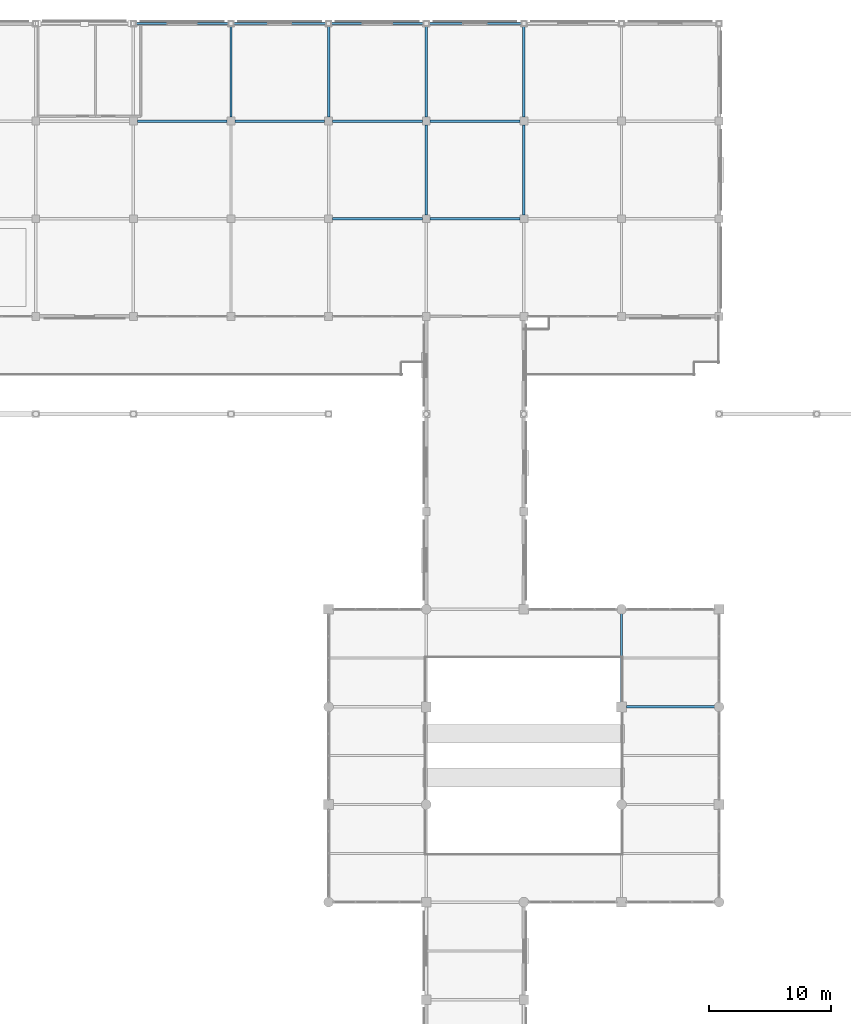
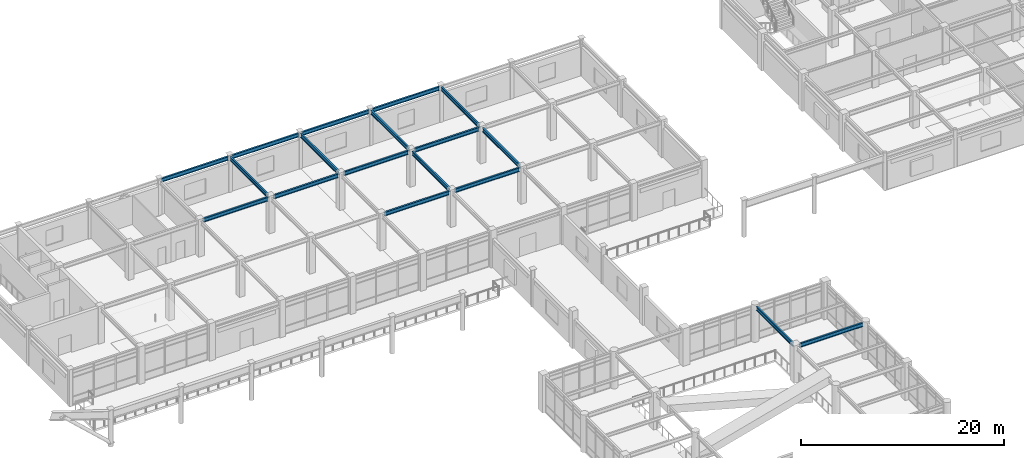
# One storey, part 48 of 78: 18 beams.
"""IFC4 building model written with IfcOpenShell, lengths in metres."""

from ifc_helpers import new_model, si_unit, direction, frame, origin, origin_2d, place, context, subcontext, project, spatial, i_section, extrude, material, material_profile, profile_set, type_object, element, save


model = new_model("IFC4")

# Units and contexts
model_context = context("Model", 3, precision=1e-05, world=origin(), true_north=direction((0.0, 1.0)))
body_context = subcontext(model_context, "Body", "Model", "MODEL_VIEW")
ifc_project = project(units=[si_unit("LENGTHUNIT", "METRE"), si_unit("AREAUNIT", "SQUARE_METRE"), si_unit("VOLUMEUNIT", "CUBIC_METRE"), si_unit("PLANEANGLEUNIT", "RADIAN"), si_unit("MASSUNIT", "GRAM", prefix="KILO")], contexts=[model_context])

# Site, building, storey
site_placement = place(None, origin())
site = spatial("IfcSite", under=ifc_project, at=site_placement, CompositionType="ELEMENT")
building_placement = place(site_placement, origin())
building = spatial("IfcBuilding", under=site, at=building_placement, Name="Solmirada Galleria", CompositionType="ELEMENT")
storey_placement = place(building_placement, frame((0.0, 0.0, 23.89990234375)))
storey = spatial("IfcBuildingStorey", under=building, at=storey_placement, Name="L05", CompositionType="ELEMENT", Elevation=23.89990234375)

# Beams
ifc_material = material(Name="Steel S355 / ASTM A992 Grade 50", Category="steel")
ifc_material_profile_1 = material_profile(ifc_material, i_section(OverallWidth=0.194091796875, OverallDepth=0.468994140625, WebThickness=0.0126953125, FlangeThickness=0.0205078125, FilletRadius=0.013916015625, at=origin_2d()), Name="W18X71")
ifc_profile_set_1 = profile_set([ifc_material_profile_1], Name="Steel S355 / ASTM A992 Grade 50")
beam_type_1 = type_object("IfcBeamType", Name="BM-GIRD-W18B", PredefinedType="BEAM", material=ifc_profile_set_1)
beam_1_placement = place(storey_placement, frame((104.39990234375, 64.0, 4.065673828125), z_axis=(1.0, 0.0, 0.0), x_axis=(0.0, 1.0, 0.0)))
element("IfcBeam", 1, at=beam_1_placement, inside=storey, type_object=beam_type_1, Name="Primary beam L06 X(104..112, 64)", PredefinedType="BEAM", context=body_context, shape_type="SweptSolid", body=[
    extrude(i_section(OverallWidth=0.194091796875, OverallDepth=0.468994140625, WebThickness=0.0126953125, FlangeThickness=0.0205078125, FilletRadius=0.013916015625, at=origin_2d()), origin(), (0.0, 0.0, 1.0), 7.26416015625),
])
ifc_material_profile_2 = material_profile(ifc_material, i_section(OverallWidth=0.193115234375, OverallDepth=0.466064453125, WebThickness=0.011474609375, FlangeThickness=0.01904296875, FilletRadius=0.013916015625, at=origin_2d()), Name="W18X65")
ifc_profile_set_2 = profile_set([ifc_material_profile_2], Name="Steel S355 / ASTM A992 Grade 50")
beam_type_2 = type_object("IfcBeamType", Name="BM-GIRD-W18C", PredefinedType="BEAM", material=ifc_profile_set_2)
beam_2_placement = place(storey_placement, frame((104.0, 64.39990234375, 4.067138671875), z_axis=(0.0, 1.0, 0.0), x_axis=(-1.0, 0.0, 0.0)))
element("IfcBeam", 2, at=beam_2_placement, inside=storey, type_object=beam_type_2, Name="Primary girder L06 Y(104, 64..72)", PredefinedType="BEAM", context=body_context, shape_type="SweptSolid", body=[
    extrude(i_section(OverallWidth=0.193115234375, OverallDepth=0.466064453125, WebThickness=0.011474609375, FlangeThickness=0.01904296875, FilletRadius=0.013916015625, at=origin_2d()), origin(), (0.0, 0.0, 1.0), 7.26416015625),
])
beam_3_placement = place(storey_placement, frame((64.324951171875, 112.0, 4.0400390625), z_axis=(1.0, 0.0, 0.0), x_axis=(0.0, 1.0, 0.0)))
element("IfcBeam", 3, at=beam_3_placement, inside=storey, type_object=beam_type_2, Name="North roof girder X=64..72", PredefinedType="BEAM", context=body_context, shape_type="SweptSolid", body=[
    extrude(i_section(OverallWidth=0.193115234375, OverallDepth=0.466064453125, WebThickness=0.011474609375, FlangeThickness=0.01904296875, FilletRadius=0.013916015625, at=origin_2d()), origin(), (0.0, 0.0, 1.0), 7.35009765625),
])
beam_4_placement = place(storey_placement, frame((64.202880859375, 120.0, 4.0400390625), z_axis=(1.0, 0.0, 0.0), x_axis=(0.0, 1.0, 0.0)))
element("IfcBeam", 4, at=beam_4_placement, inside=storey, type_object=beam_type_2, Name="North roof girder X=64..72", PredefinedType="BEAM", context=body_context, shape_type="SweptSolid", body=[
    extrude(i_section(OverallWidth=0.193115234375, OverallDepth=0.466064453125, WebThickness=0.011474609375, FlangeThickness=0.01904296875, FilletRadius=0.013916015625, at=origin_2d()), origin(), (0.0, 0.0, 1.0), 7.59423828125),
])
beam_5_placement = place(storey_placement, frame((72.324951171875, 112.0, 4.0400390625), z_axis=(1.0, 0.0, 0.0), x_axis=(0.0, 1.0, 0.0)))
element("IfcBeam", 5, at=beam_5_placement, inside=storey, type_object=beam_type_2, Name="North roof girder X=72..80", PredefinedType="BEAM", context=body_context, shape_type="SweptSolid", body=[
    extrude(i_section(OverallWidth=0.193115234375, OverallDepth=0.466064453125, WebThickness=0.011474609375, FlangeThickness=0.01904296875, FilletRadius=0.013916015625, at=origin_2d()), origin(), (0.0, 0.0, 1.0), 7.35009765625),
])
beam_6_placement = place(storey_placement, frame((72.202880859375, 120.0, 4.0400390625), z_axis=(1.0, 0.0, 0.0), x_axis=(0.0, 1.0, 0.0)))
element("IfcBeam", 6, at=beam_6_placement, inside=storey, type_object=beam_type_2, Name="North roof girder X=72..80", PredefinedType="BEAM", context=body_context, shape_type="SweptSolid", body=[
    extrude(i_section(OverallWidth=0.193115234375, OverallDepth=0.466064453125, WebThickness=0.011474609375, FlangeThickness=0.01904296875, FilletRadius=0.013916015625, at=origin_2d()), origin(), (0.0, 0.0, 1.0), 7.59423828125),
])
for number, where, z_axis, x_axis, name in (
    (7, (80.324951171875, 104.0, 4.0400390625), (1.0, 0.0, 0.0), (0.0, 1.0, 0.0), "North roof girder X=80..88"),
    (8, (80.324951171875, 112.0, 4.0400390625), (1.0, 0.0, 0.0), (0.0, 1.0, 0.0), "North roof girder X=80..88"),
):
    element("IfcBeam", number, at=place(storey_placement, frame(where, z_axis=z_axis, x_axis=x_axis)), inside=storey, type_object=beam_type_2, Name=name, PredefinedType="BEAM", context=body_context, shape_type="SweptSolid", body=[
        extrude(i_section(OverallWidth=0.193115234375, OverallDepth=0.466064453125, WebThickness=0.011474609375, FlangeThickness=0.01904296875, FilletRadius=0.013916015625, at=origin_2d()), origin(), (0.0, 0.0, 1.0), 7.35009765625),
    ])
beam_7_placement = place(storey_placement, frame((80.202880859375, 120.0, 4.0400390625), z_axis=(1.0, 0.0, 0.0), x_axis=(0.0, 1.0, 0.0)))
element("IfcBeam", 9, at=beam_7_placement, inside=storey, type_object=beam_type_2, Name="North roof girder X=80..88", PredefinedType="BEAM", context=body_context, shape_type="SweptSolid", body=[
    extrude(i_section(OverallWidth=0.193115234375, OverallDepth=0.466064453125, WebThickness=0.011474609375, FlangeThickness=0.01904296875, FilletRadius=0.013916015625, at=origin_2d()), origin(), (0.0, 0.0, 1.0), 7.59423828125),
])
for number, where, z_axis, x_axis, name in (
    (10, (88.324951171875, 104.0, 4.0400390625), (1.0, 0.0, 0.0), (0.0, 1.0, 0.0), "North roof girder X=88..96"),
    (11, (88.324951171875, 112.0, 4.0400390625), (1.0, 0.0, 0.0), (0.0, 1.0, 0.0), "North roof girder X=88..96"),
):
    element("IfcBeam", number, at=place(storey_placement, frame(where, z_axis=z_axis, x_axis=x_axis)), inside=storey, type_object=beam_type_2, Name=name, PredefinedType="BEAM", context=body_context, shape_type="SweptSolid", body=[
        extrude(i_section(OverallWidth=0.193115234375, OverallDepth=0.466064453125, WebThickness=0.011474609375, FlangeThickness=0.01904296875, FilletRadius=0.013916015625, at=origin_2d()), origin(), (0.0, 0.0, 1.0), 7.35009765625),
    ])
beam_8_placement = place(storey_placement, frame((88.202880859375, 120.0, 4.0400390625), z_axis=(1.0, 0.0, 0.0), x_axis=(0.0, 1.0, 0.0)))
element("IfcBeam", 12, at=beam_8_placement, inside=storey, type_object=beam_type_2, Name="North roof girder X=88..96", PredefinedType="BEAM", context=body_context, shape_type="SweptSolid", body=[
    extrude(i_section(OverallWidth=0.193115234375, OverallDepth=0.466064453125, WebThickness=0.011474609375, FlangeThickness=0.01904296875, FilletRadius=0.013916015625, at=origin_2d()), origin(), (0.0, 0.0, 1.0), 7.59423828125),
])
for number, where, z_axis, x_axis, name in (
    (13, (72.0, 112.324951171875, 4.0400390625), (0.0, 1.0, 0.0), (-1.0, 0.0, 0.0), "North roof girder Y=112..120"),
    (14, (80.0, 112.324951171875, 4.0400390625), (0.0, 1.0, 0.0), (-1.0, 0.0, 0.0), "North roof girder Y=112..120"),
):
    element("IfcBeam", number, at=place(storey_placement, frame(where, z_axis=z_axis, x_axis=x_axis)), inside=storey, type_object=beam_type_2, Name=name, PredefinedType="BEAM", context=body_context, shape_type="SweptSolid", body=[
        extrude(i_section(OverallWidth=0.193115234375, OverallDepth=0.466064453125, WebThickness=0.011474609375, FlangeThickness=0.01904296875, FilletRadius=0.013916015625, at=origin_2d()), origin(), (0.0, 0.0, 1.0), 7.47216796875),
    ])
beam_9_placement = place(storey_placement, frame((88.0, 104.324951171875, 4.0400390625), z_axis=(0.0, 1.0, 0.0), x_axis=(-1.0, 0.0, 0.0)))
element("IfcBeam", 15, at=beam_9_placement, inside=storey, type_object=beam_type_2, Name="North roof girder Y=104..112", PredefinedType="BEAM", context=body_context, shape_type="SweptSolid", body=[
    extrude(i_section(OverallWidth=0.193115234375, OverallDepth=0.466064453125, WebThickness=0.011474609375, FlangeThickness=0.01904296875, FilletRadius=0.013916015625, at=origin_2d()), origin(), (0.0, 0.0, 1.0), 7.35009765625),
])
beam_10_placement = place(storey_placement, frame((88.0, 112.324951171875, 4.0400390625), z_axis=(0.0, 1.0, 0.0), x_axis=(-1.0, 0.0, 0.0)))
element("IfcBeam", 16, at=beam_10_placement, inside=storey, type_object=beam_type_2, Name="North roof girder Y=112..120", PredefinedType="BEAM", context=body_context, shape_type="SweptSolid", body=[
    extrude(i_section(OverallWidth=0.193115234375, OverallDepth=0.466064453125, WebThickness=0.011474609375, FlangeThickness=0.01904296875, FilletRadius=0.013916015625, at=origin_2d()), origin(), (0.0, 0.0, 1.0), 7.47216796875),
])
beam_11_placement = place(storey_placement, frame((96.0, 104.324951171875, 4.0400390625), z_axis=(0.0, 1.0, 0.0), x_axis=(-1.0, 0.0, 0.0)))
element("IfcBeam", 17, at=beam_11_placement, inside=storey, type_object=beam_type_2, Name="North roof girder Y=104..112", PredefinedType="BEAM", context=body_context, shape_type="SweptSolid", body=[
    extrude(i_section(OverallWidth=0.193115234375, OverallDepth=0.466064453125, WebThickness=0.011474609375, FlangeThickness=0.01904296875, FilletRadius=0.013916015625, at=origin_2d()), origin(), (0.0, 0.0, 1.0), 7.35009765625),
])
beam_12_placement = place(storey_placement, frame((96.0, 112.324951171875, 4.0400390625), z_axis=(0.0, 1.0, 0.0), x_axis=(-1.0, 0.0, 0.0)))
element("IfcBeam", 18, at=beam_12_placement, inside=storey, type_object=beam_type_2, Name="North roof girder Y=112..120", PredefinedType="BEAM", context=body_context, shape_type="SweptSolid", body=[
    extrude(i_section(OverallWidth=0.193115234375, OverallDepth=0.466064453125, WebThickness=0.011474609375, FlangeThickness=0.01904296875, FilletRadius=0.013916015625, at=origin_2d()), origin(), (0.0, 0.0, 1.0), 7.47216796875),
])

save(model, "model.ifc")
